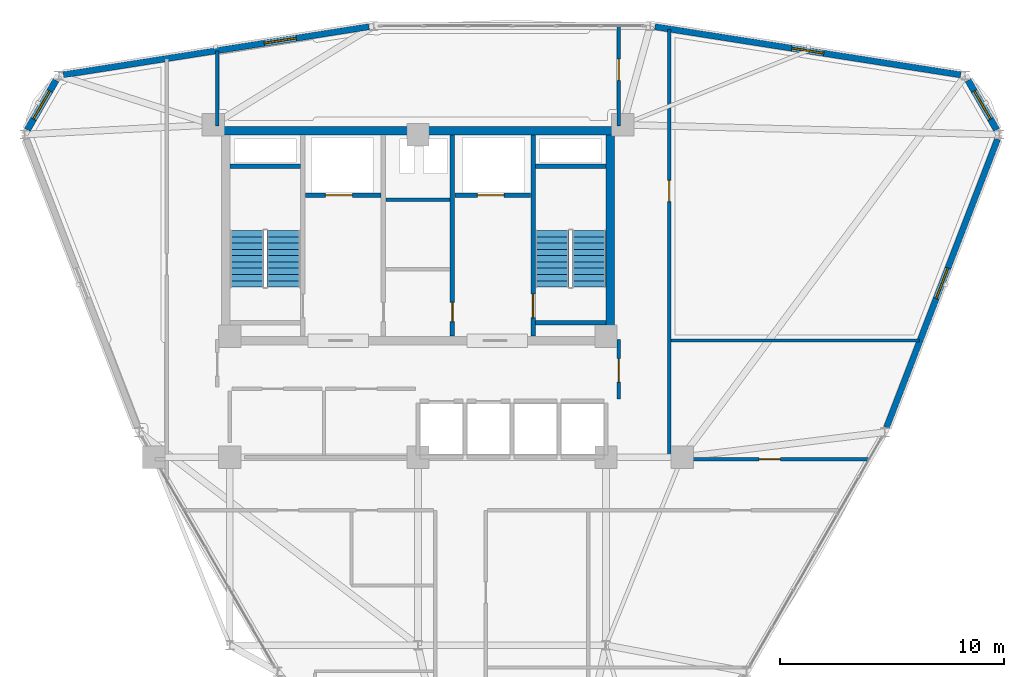
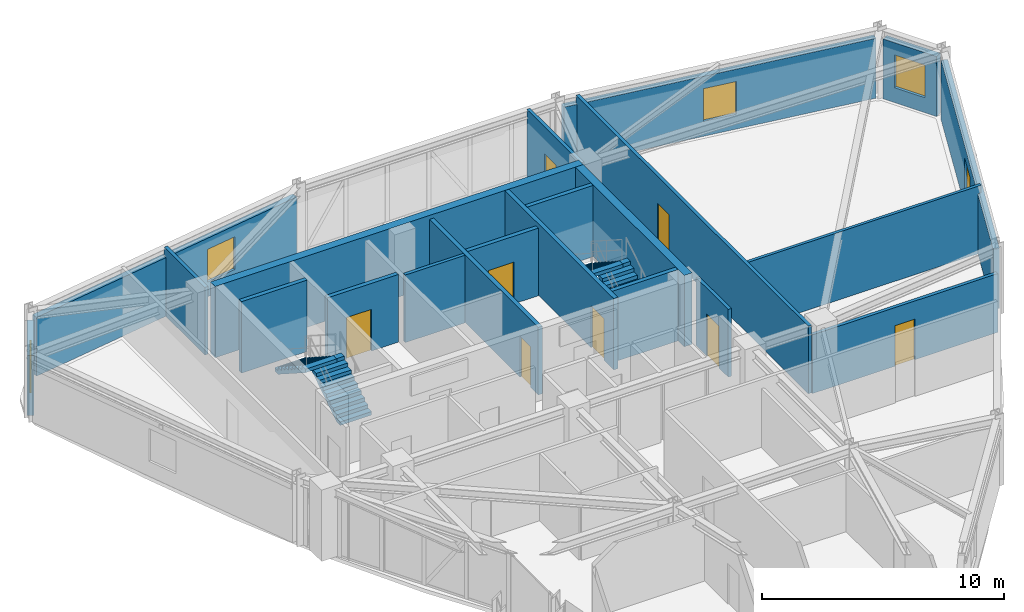
# One storey, part 15 of 18: 21 walls, 8 doors, 5 windows, 4 stair flights, 13 openings, 2 elements without a shape of their own.
"""IFC4 building model written with IfcOpenShell, lengths in metres."""

from ifc_helpers import new_model, si_unit, derived_unit, direction, frame, frame_2d, origin, place, context, subcontext, project, spatial, polyline, rectangle, outline, extrude, material, layer, layer_set, type_object, element, fill, aggregate, save


model = new_model("IFC4")

# Units and contexts
model_context = context("Model", 3, precision=1e-05, world=origin(), true_north=direction((0.0, 1.0)))
body_context = subcontext(model_context, "Body", "Model", "MODEL_VIEW")
ifc_project = project(units=[si_unit("LENGTHUNIT", "METRE"), si_unit("AREAUNIT", "SQUARE_METRE"), si_unit("VOLUMEUNIT", "CUBIC_METRE"), si_unit("PLANEANGLEUNIT", "RADIAN"), si_unit("MASSUNIT", "GRAM", prefix="KILO"), derived_unit("THERMALTRANSMITTANCEUNIT", [(si_unit("POWERUNIT", "WATT"), 1), (si_unit("LENGTHUNIT", "METRE"), -2), (si_unit("THERMODYNAMICTEMPERATUREUNIT", "KELVIN"), -1)])], contexts=[model_context])

# Site, building, storey
site_placement = place(None, origin())
site = spatial("IfcSite", under=ifc_project, at=site_placement, CompositionType="ELEMENT")
building_placement = place(site_placement, origin())
building = spatial("IfcBuilding", under=site, at=building_placement, Name="Korsvarv Bourse and Concert Hall", CompositionType="ELEMENT")
storey_placement = place(building_placement, frame((0.0, 0.0, 209.39990234375)))
storey = spatial("IfcBuildingStorey", under=building, at=storey_placement, Name="L54", CompositionType="ELEMENT", Elevation=209.39990234375)

# Walls
ifc_material_1 = material(Name="Concrete C50/60", Category="concrete")
ifc_layer_1 = layer(ifc_material_1, 0.3798828125)
ifc_layer_set_1 = layer_set([ifc_layer_1], Name="Concrete C50/60")
wall_type_1 = type_object("IfcWallType", Name="WL-CORE-380", PredefinedType="SHEAR", material=ifc_layer_set_1)
wall_1_placement = place(storey_placement, frame((27.219970703125, 46.989990234375, 0.0), z_axis=(0.0, 0.0, 1.0), x_axis=(1.0, 0.0, 0.0)))
element("IfcWall", 1, at=wall_1_placement, inside=storey, type_object=wall_type_1, Name="L54 North Core Shear Wall", PredefinedType="SHEAR", context=body_context, shape_type="SweptSolid", body=[
    extrude(rectangle(XDim=17.56005859375, YDim=0.3798828125, at=frame_2d((8.780029296875, 0.0))), origin(), (0.0, 0.0, 1.0), 3.60009765625),
])
wall_2_placement = place(storey_placement, frame((44.590087890625, 37.800048828125, 0.0), z_axis=(0.0, 0.0, 1.0), x_axis=(0.0, 1.0, 0.0)))
element("IfcWall", 2, at=wall_2_placement, inside=storey, type_object=wall_type_1, Name="L54 East Core Shear Wall", PredefinedType="SHEAR", context=body_context, shape_type="SweptSolid", body=[
    extrude(rectangle(XDim=9.0, YDim=0.3798828125, at=frame_2d((4.5, 0.0))), origin(), (0.0, 0.0, 1.0), 3.60009765625),
])
wall_3_placement = place(storey_placement, frame((27.610107421875, 45.39990234375, 0.0), z_axis=(0.0, 0.0, 1.0), x_axis=(1.0, 0.0, 0.0)))
element("IfcWall", 3, at=wall_3_placement, inside=storey, type_object=wall_type_1, Name="L54 stair shaft structural wall W-L54-ST1-N", PredefinedType="SHEAR", context=body_context, shape_type="SweptSolid", body=[
    extrude(rectangle(XDim=3.139892578125, YDim=0.199951171875, at=frame_2d((1.56982421875, 0.0))), origin(), (0.0, 0.0, 1.0), 3.60009765625),
])

# Wall, opening, door
wall_4_placement = place(storey_placement, frame((41.139892578125, 37.81005859375, 0.0), z_axis=(0.0, 0.0, 1.0), x_axis=(0.0, 1.0, 0.0)))
wall_4 = element("IfcWall", 4, at=wall_4_placement, inside=storey, type_object=wall_type_1, Name="L54 stair shaft structural wall W-L54-ST2-W", PredefinedType="SHEAR", context=body_context, shape_type="SweptSolid", body=[
    extrude(rectangle(XDim=8.97998046875, YDim=0.199951171875, at=frame_2d((4.489990234375, 0.0))), origin(), (0.0, 0.0, 1.0), 3.60009765625),
])
opening_1_placement = place(wall_4_placement, frame((0.820068359375, 0.0, 0.0)))
opening_1 = element("IfcOpeningElement", 5, at=opening_1_placement, cuts=wall_4, Name="Opening D-01", PredefinedType="OPENING", context=body_context, shape_type="SweptSolid", body=[
    extrude(rectangle(XDim=1.050048828125, YDim=2.10009765625, at=frame_2d((0.52490234375, 1.050048828125))), frame((0.0, 0.10986328125, 0.0), z_axis=(0.0, -1.0, 0.0), x_axis=(1.0, 0.0, 0.0)), (0.0, 0.0, 1.0), 0.219970703125),
])
ifc_material_2 = material(Name="Steel S355 fire door", Category="steel")
door_type_1 = type_object("IfcDoorType", Name="DR-FD60", OperationType="NOTDEFINED", PredefinedType="DOOR", material=ifc_material_2)
door_1_placement = place(opening_1_placement, frame((1.050048828125, 0.0, 0.0), z_axis=(0.0, 0.0, 1.0), x_axis=(-1.0, 0.0, 0.0)))
door_1 = element("IfcDoor", 6, at=door_1_placement, inside=storey, type_object=door_type_1, Name="L54 interior door DR-L54-ST2", OperationType="SINGLE_SWING_RIGHT", OverallHeight=2.10009765625, OverallWidth=1.050048828125, PredefinedType="DOOR", context=body_context, shape_type="SweptSolid", body=[
    extrude(rectangle(XDim=1.050048828125, YDim=2.10009765625, at=frame_2d((0.52490234375, 1.050048828125))), frame((0.0, 0.02490234375, 0.0), z_axis=(0.0, -1.0, 0.0), x_axis=(1.0, 0.0, 0.0)), (0.0, 0.0, 1.0), 0.050048828125),
])
fill(opening_1, door_1)

# Walls
for number, where, z_axis, x_axis, name in (
    (7, (41.25, 45.39990234375, 0.0), (0.0, 0.0, 1.0), (1.0, 0.0, 0.0), "L54 stair shaft structural wall W-L54-ST2-N"),
    (8, (41.25, 38.39990234375, 0.0), (0.0, 0.0, 1.0), (1.0, 0.0, 0.0), "L54 stair shaft structural wall W-L54-ST2-S"),
):
    element("IfcWall", number, at=place(storey_placement, frame(where, z_axis=z_axis, x_axis=x_axis)), inside=storey, type_object=wall_type_1, Name=name, PredefinedType="SHEAR", context=body_context, shape_type="SweptSolid", body=[
        extrude(rectangle(XDim=3.139892578125, YDim=0.199951171875, at=frame_2d((1.56982421875, 0.0))), origin(), (0.0, 0.0, 1.0), 3.60009765625),
    ])

# Wall, opening, window
ifc_material_3 = material(Name="Precast concrete C45/55 with terracotta rainscreen", Category="concrete")
ifc_layer_2 = layer(ifc_material_3, 0.300048828125)
ifc_layer_set_2 = layer_set([ifc_layer_2], Name="Precast concrete C45/55 with terracotta rainscreen")
wall_type_2 = type_object("IfcWallType", Name="WL-EXT-TC1", PredefinedType="SOLIDWALL", material=ifc_layer_set_2)
wall_5_placement = place(storey_placement, frame((61.84716796875, 47.0244140625, 0.0), z_axis=(0.0, 0.0, 1.0), x_axis=(-0.49997637333, 0.866039044219, 0.0)))
wall_5 = element("IfcWall", 9, at=wall_5_placement, inside=storey, type_object=wall_type_2, Name="L54 terracotta exterior wall EW-L54-B01", PredefinedType="SOLIDWALL", context=body_context, shape_type="SweptSolid", body=[
    extrude(rectangle(XDim=2.55224609375, YDim=0.300048828125, at=frame_2d((1.276123046875, 0.0))), origin(), (0.0, 0.0, 1.0), 3.02001953125),
])
opening_2_placement = place(wall_5_placement, frame((0.551025390625, 0.0, 0.75)))
opening_2 = element("IfcOpeningElement", 10, at=opening_2_placement, cuts=wall_5, Name="Opening W-02", PredefinedType="OPENING", context=body_context, shape_type="SweptSolid", body=[
    extrude(rectangle(XDim=1.449951171875, YDim=1.64990234375, at=frame_2d((0.72509765625, 0.824951171875))), frame((0.0, 0.16015625, 0.0), z_axis=(0.0, -1.0, 0.0), x_axis=(1.0, 0.0, 0.0)), (0.0, 0.0, 1.0), 0.320068359375),
])
ifc_material_4 = material(Name="Thermally broken aluminium frame with triple low-E glass", Category="glass")
window_type = type_object("IfcWindowType", Name="WIN-TW2", PartitioningType="SINGLE_PANEL", PredefinedType="WINDOW", material=ifc_material_4)
window_1_placement = place(opening_2_placement, origin())
window_1 = element("IfcWindow", 11, at=window_1_placement, inside=storey, type_object=window_type, Name="L54 punched facade window W-02", OverallHeight=1.64990234375, OverallWidth=1.449951171875, PartitioningType="SINGLE_PANEL", PredefinedType="WINDOW", context=body_context, shape_type="SweptSolid", body=[
    extrude(rectangle(XDim=1.449951171875, YDim=1.64990234375, at=frame_2d((0.72509765625, 0.824951171875))), frame((0.0, 0.030029296875, 0.0), z_axis=(0.0, -1.0, 0.0), x_axis=(1.0, 0.0, 0.0)), (0.0, 0.0, 1.0), 0.06005859375),
])
fill(opening_2, window_1)

wall_6_placement = place(storey_placement, frame((19.828857421875, 49.23486328125, 0.0), z_axis=(0.0, 0.0, 1.0), x_axis=(-0.49990462644, -0.866080460733, 0.0)))
wall_6 = element("IfcWall", 12, at=wall_6_placement, inside=storey, type_object=wall_type_2, Name="L54 terracotta exterior wall EW-L54-B05", PredefinedType="SOLIDWALL", context=body_context, shape_type="SweptSolid", body=[
    extrude(rectangle(XDim=2.55224609375, YDim=0.300048828125, at=frame_2d((1.276123046875, 0.0))), origin(), (0.0, 0.0, 1.0), 3.02001953125),
])
opening_3_placement = place(wall_6_placement, frame((0.551025390625, 0.0, 0.75)))
opening_3 = element("IfcOpeningElement", 13, at=opening_3_placement, cuts=wall_6, Name="Opening W-02", PredefinedType="OPENING", context=body_context, shape_type="SweptSolid", body=[
    extrude(rectangle(XDim=1.449951171875, YDim=1.64990234375, at=frame_2d((0.72509765625, 0.824951171875))), frame((0.0, 0.16015625, 0.0), z_axis=(0.0, -1.0, 0.0), x_axis=(1.0, 0.0, 0.0)), (0.0, 0.0, 1.0), 0.320068359375),
])
window_2_placement = place(opening_3_placement, origin())
window_2 = element("IfcWindow", 14, at=window_2_placement, inside=storey, type_object=window_type, Name="L54 punched facade window W-02", OverallHeight=1.64990234375, OverallWidth=1.449951171875, PartitioningType="SINGLE_PANEL", PredefinedType="WINDOW", context=body_context, shape_type="SweptSolid", body=[
    extrude(rectangle(XDim=1.449951171875, YDim=1.64990234375, at=frame_2d((0.72509765625, 0.824951171875))), frame((0.0, 0.030029296875, 0.0), z_axis=(0.0, -1.0, 0.0), x_axis=(1.0, 0.0, 0.0)), (0.0, 0.0, 1.0), 0.06005859375),
])
fill(opening_3, window_2)

ifc_material_5 = material(Name="Precast concrete C45/55 with fluted terracotta pier", Category="concrete")
ifc_layer_3 = layer(ifc_material_5, 0.280029296875)
ifc_layer_set_3 = layer_set([ifc_layer_3], Name="Precast concrete C45/55 with fluted terracotta pier")
wall_type_3 = type_object("IfcWallType", Name="WL-EXT-TC2", PredefinedType="SOLIDWALL", material=ifc_layer_set_3)
wall_7_placement = place(storey_placement, frame((60.239990234375, 49.48046875, 0.0), z_axis=(0.0, 0.0, 1.0), x_axis=(-0.987848165878, 0.155422009936, 0.0)))
wall_7 = element("IfcWall", 15, at=wall_7_placement, inside=storey, type_object=wall_type_3, Name="L54 terracotta exterior wall EW-L54-B02", PredefinedType="SOLIDWALL", context=body_context, shape_type="SweptSolid", body=[
    extrude(rectangle(XDim=13.8232421875, YDim=0.280029296875, at=frame_2d((6.91162109375, 0.0))), origin(), (0.0, 0.0, 1.0), 3.02001953125),
])
opening_4_placement = place(wall_7_placement, frame((6.186767578125, 0.0, 0.75)))
opening_4 = element("IfcOpeningElement", 16, at=opening_4_placement, cuts=wall_7, Name="Opening W-02", PredefinedType="OPENING", context=body_context, shape_type="SweptSolid", body=[
    extrude(rectangle(XDim=1.449951171875, YDim=1.64990234375, at=frame_2d((0.72509765625, 0.824951171875))), frame((0.0, 0.14990234375, 0.0), z_axis=(0.0, -1.0, 0.0), x_axis=(1.0, 0.0, 0.0)), (0.0, 0.0, 1.0), 0.300048828125),
])
window_3_placement = place(opening_4_placement, origin())
window_3 = element("IfcWindow", 17, at=window_3_placement, inside=storey, type_object=window_type, Name="L54 punched facade window W-02", OverallHeight=1.64990234375, OverallWidth=1.449951171875, PartitioningType="SINGLE_PANEL", PredefinedType="WINDOW", context=body_context, shape_type="SweptSolid", body=[
    extrude(rectangle(XDim=1.449951171875, YDim=1.64990234375, at=frame_2d((0.72509765625, 0.824951171875))), frame((0.0, 0.030029296875, 0.0), z_axis=(0.0, -1.0, 0.0), x_axis=(1.0, 0.0, 0.0)), (0.0, 0.0, 1.0), 0.06005859375),
])
fill(opening_4, window_3)

wall_8_placement = place(storey_placement, frame((33.815185546875, 51.62890625, 0.0), z_axis=(0.0, 0.0, 1.0), x_axis=(-0.987848165878, -0.155422009936, 0.0)))
wall_8 = element("IfcWall", 18, at=wall_8_placement, inside=storey, type_object=wall_type_3, Name="L54 terracotta exterior wall EW-L54-B04", PredefinedType="SOLIDWALL", context=body_context, shape_type="SweptSolid", body=[
    extrude(rectangle(XDim=13.8232421875, YDim=0.280029296875, at=frame_2d((6.91162109375, 0.0))), origin(), (0.0, 0.0, 1.0), 2.960205078125),
])
opening_5_placement = place(wall_8_placement, frame((3.293212890625, 0.0, 0.75)))
opening_5 = element("IfcOpeningElement", 19, at=opening_5_placement, cuts=wall_8, Name="Opening W-02", PredefinedType="OPENING", context=body_context, shape_type="SweptSolid", body=[
    extrude(rectangle(XDim=1.449951171875, YDim=1.64990234375, at=frame_2d((0.72509765625, 0.824951171875))), frame((0.0, 0.14990234375, 0.0), z_axis=(0.0, -1.0, 0.0), x_axis=(1.0, 0.0, 0.0)), (0.0, 0.0, 1.0), 0.300048828125),
])
window_4_placement = place(opening_5_placement, origin())
window_4 = element("IfcWindow", 20, at=window_4_placement, inside=storey, type_object=window_type, Name="L54 punched facade window W-02", OverallHeight=1.64990234375, OverallWidth=1.449951171875, PartitioningType="SINGLE_PANEL", PredefinedType="WINDOW", context=body_context, shape_type="SweptSolid", body=[
    extrude(rectangle(XDim=1.449951171875, YDim=1.64990234375, at=frame_2d((0.72509765625, 0.824951171875))), frame((0.0, 0.030029296875, 0.0), z_axis=(0.0, -1.0, 0.0), x_axis=(1.0, 0.0, 0.0)), (0.0, 0.0, 1.0), 0.06005859375),
])
fill(opening_5, window_4)

wall_9_placement = place(storey_placement, frame((56.933837890625, 33.731201171875, 0.0), z_axis=(0.0, 0.0, 1.0), x_axis=(0.359321962573, 0.933213655715, 0.0)))
wall_9 = element("IfcWall", 21, at=wall_9_placement, inside=storey, type_object=wall_type_3, Name="L54 terracotta exterior wall EW-L54-B12", PredefinedType="SOLIDWALL", context=body_context, shape_type="SweptSolid", body=[
    extrude(rectangle(XDim=13.7880859375, YDim=0.280029296875, at=frame_2d((6.89404296875, 0.0))), origin(), (0.0, 0.0, 1.0), 3.02001953125),
])
opening_6_placement = place(wall_9_placement, frame((6.1689453125, 0.0, 0.75)))
opening_6 = element("IfcOpeningElement", 22, at=opening_6_placement, cuts=wall_9, Name="Opening W-02", PredefinedType="OPENING", context=body_context, shape_type="SweptSolid", body=[
    extrude(rectangle(XDim=1.449951171875, YDim=1.64990234375, at=frame_2d((0.72509765625, 0.824951171875))), frame((0.0, 0.14990234375, 0.0), z_axis=(0.0, -1.0, 0.0), x_axis=(1.0, 0.0, 0.0)), (0.0, 0.0, 1.0), 0.300048828125),
])
window_5_placement = place(opening_6_placement, origin())
window_5 = element("IfcWindow", 23, at=window_5_placement, inside=storey, type_object=window_type, Name="L54 punched facade window W-02", OverallHeight=1.64990234375, OverallWidth=1.449951171875, PartitioningType="SINGLE_PANEL", PredefinedType="WINDOW", context=body_context, shape_type="SweptSolid", body=[
    extrude(rectangle(XDim=1.449951171875, YDim=1.64990234375, at=frame_2d((0.72509765625, 0.824951171875))), frame((0.0, 0.030029296875, 0.0), z_axis=(0.0, -1.0, 0.0), x_axis=(1.0, 0.0, 0.0)), (0.0, 0.0, 1.0), 0.06005859375),
])
fill(opening_6, window_5)

# Wall, opening, door
ifc_material_6 = material(Name="Reinforced concrete blockwork C35/45 fire wall", Category="concrete")
ifc_layer_4 = layer(ifc_material_6, 0.199951171875)
ifc_layer_set_4 = layer_set([ifc_layer_4], Name="Reinforced concrete blockwork C35/45 fire wall")
wall_type_4 = type_object("IfcWallType", Name="WL-INT-EI120", PredefinedType="PARTITIONING", material=ifc_layer_set_4)
wall_10_placement = place(storey_placement, frame((30.969970703125, 44.10009765625, 0.0), z_axis=(0.0, 0.0, 1.0), x_axis=(1.0, 0.0, 0.0)))
wall_10 = element("IfcWall", 24, at=wall_10_placement, inside=storey, type_object=wall_type_4, Name="L54 interior partition wall W-L54-FF1-S", PredefinedType="PARTITIONING", context=body_context, shape_type="SweptSolid", body=[
    extrude(rectangle(XDim=3.380126953125, YDim=0.199951171875, at=frame_2d((1.68994140625, 0.0))), origin(), (0.0, 0.0, 1.0), 3.41015625),
])
opening_7_placement = place(wall_10_placement, frame((0.89990234375, 0.0, 0.0)))
opening_7 = element("IfcOpeningElement", 25, at=opening_7_placement, cuts=wall_10, Name="Opening LD-1", PredefinedType="OPENING", context=body_context, shape_type="SweptSolid", body=[
    extrude(rectangle(XDim=1.199951171875, YDim=2.10009765625, at=frame_2d((0.60009765625, 1.050048828125))), frame((0.0, 0.10986328125, 0.0), z_axis=(0.0, -1.0, 0.0), x_axis=(1.0, 0.0, 0.0)), (0.0, 0.0, 1.0), 0.219970703125),
])
ifc_material_7 = material(Name="Stainless Steel S355 firefighting lift landing door", Category="steel")
door_type_2 = type_object("IfcDoorType", Name="DR-LIFT-FF", OperationType="DOUBLE_DOOR_SLIDING", PredefinedType="DOOR", material=ifc_material_7)
door_2_placement = place(opening_7_placement, origin())
door_2 = element("IfcDoor", 26, at=door_2_placement, inside=storey, type_object=door_type_2, Name="L54 lift sliding landing door LD-L54-FF1", OperationType="DOUBLE_DOOR_SLIDING", OverallHeight=2.10009765625, OverallWidth=1.199951171875, PredefinedType="DOOR", context=body_context, shape_type="SweptSolid", body=[
    extrude(rectangle(XDim=1.199951171875, YDim=2.10009765625, at=frame_2d((0.60009765625, 1.050048828125))), frame((0.0, 0.02490234375, 0.0), z_axis=(0.0, -1.0, 0.0), x_axis=(1.0, 0.0, 0.0)), (0.0, 0.0, 1.0), 0.050048828125),
])
fill(opening_7, door_2)

wall_11_placement = place(storey_placement, frame((37.64990234375, 44.10009765625, 0.0), z_axis=(0.0, 0.0, 1.0), x_axis=(1.0, 0.0, 0.0)))
wall_11 = element("IfcWall", 27, at=wall_11_placement, inside=storey, type_object=wall_type_4, Name="L54 interior partition wall W-L54-FF2-S", PredefinedType="PARTITIONING", context=body_context, shape_type="SweptSolid", body=[
    extrude(rectangle(XDim=3.380126953125, YDim=0.199951171875, at=frame_2d((1.68994140625, 0.0))), origin(), (0.0, 0.0, 1.0), 3.41015625),
])
opening_8_placement = place(wall_11_placement, frame((1.0, 0.0, 0.0)))
opening_8 = element("IfcOpeningElement", 28, at=opening_8_placement, cuts=wall_11, Name="Opening LD-1", PredefinedType="OPENING", context=body_context, shape_type="SweptSolid", body=[
    extrude(rectangle(XDim=1.199951171875, YDim=2.10009765625, at=frame_2d((0.60009765625, 1.050048828125))), frame((0.0, 0.10986328125, 0.0), z_axis=(0.0, -1.0, 0.0), x_axis=(1.0, 0.0, 0.0)), (0.0, 0.0, 1.0), 0.219970703125),
])
door_3_placement = place(opening_8_placement, origin())
door_3 = element("IfcDoor", 29, at=door_3_placement, inside=storey, type_object=door_type_2, Name="L54 lift sliding landing door LD-L54-FF2", OperationType="DOUBLE_DOOR_SLIDING", OverallHeight=2.10009765625, OverallWidth=1.199951171875, PredefinedType="DOOR", context=body_context, shape_type="SweptSolid", body=[
    extrude(rectangle(XDim=1.199951171875, YDim=2.10009765625, at=frame_2d((0.60009765625, 1.050048828125))), frame((0.0, 0.02490234375, 0.0), z_axis=(0.0, -1.0, 0.0), x_axis=(1.0, 0.0, 0.0)), (0.0, 0.0, 1.0), 0.050048828125),
])
fill(opening_8, door_3)

wall_12_placement = place(storey_placement, frame((37.5400390625, 37.81005859375, 0.0), z_axis=(0.0, 0.0, 1.0), x_axis=(0.0, 1.0, 0.0)))
wall_12 = element("IfcWall", 30, at=wall_12_placement, inside=storey, type_object=wall_type_4, Name="L54 interior partition wall W-L54-CSB-E", PredefinedType="PARTITIONING", context=body_context, shape_type="SweptSolid", body=[
    extrude(rectangle(XDim=8.97998046875, YDim=0.199951171875, at=frame_2d((4.489990234375, 0.0))), origin(), (0.0, 0.0, 1.0), 3.41015625),
])
opening_9_placement = place(wall_12_placement, frame((0.64990234375, 0.0, 0.0)))
opening_9 = element("IfcOpeningElement", 31, at=opening_9_placement, cuts=wall_12, Name="Opening D-05", PredefinedType="OPENING", context=body_context, shape_type="SweptSolid", body=[
    extrude(rectangle(XDim=0.85009765625, YDim=2.050048828125, at=frame_2d((0.425048828125, 1.02490234375))), frame((0.0, 0.10986328125, 0.0), z_axis=(0.0, -1.0, 0.0), x_axis=(1.0, 0.0, 0.0)), (0.0, 0.0, 1.0), 0.219970703125),
])
door_type_3 = type_object("IfcDoorType", Name="DR-FD60-850X2050", OperationType="NOTDEFINED", PredefinedType="DOOR", material=ifc_material_2)
door_4_placement = place(opening_9_placement, origin())
door_4 = element("IfcDoor", 32, at=door_4_placement, inside=storey, type_object=door_type_3, Name="L54 interior door DR-L54-CSB2", OperationType="SINGLE_SWING_RIGHT", OverallHeight=2.050048828125, OverallWidth=0.85009765625, PredefinedType="DOOR", context=body_context, shape_type="SweptSolid", body=[
    extrude(rectangle(XDim=0.85009765625, YDim=2.050048828125, at=frame_2d((0.425048828125, 1.02490234375))), frame((0.0, 0.02490234375, 0.0), z_axis=(0.0, -1.0, 0.0), x_axis=(1.0, 0.0, 0.0)), (0.0, 0.0, 1.0), 0.050048828125),
])
fill(opening_9, door_4)

# Wall
ifc_material_8 = material(Name="Double-stud fire-rated acoustic partition", Category="gypsum")
ifc_layer_5 = layer(ifc_material_8, 0.159912109375)
ifc_layer_set_5 = layer_set([ifc_layer_5], Name="Double-stud fire-rated acoustic partition")
wall_type_5 = type_object("IfcWallType", Name="WL-INT-EI60", PredefinedType="PARTITIONING", material=ifc_layer_set_5)
wall_13_placement = place(storey_placement, frame((34.570068359375, 43.89990234375, 0.0), z_axis=(0.0, 0.0, 1.0), x_axis=(1.0, 0.0, 0.0)))
element("IfcWall", 33, at=wall_13_placement, inside=storey, type_object=wall_type_5, Name="L54 interior partition wall W-L54-K2", PredefinedType="PARTITIONING", context=body_context, shape_type="SweptSolid", body=[
    extrude(rectangle(XDim=2.85986328125, YDim=0.159912109375, at=frame_2d((1.429931640625, 0.0))), origin(), (0.0, 0.0, 1.0), 3.41015625),
])

# Wall, opening, door
wall_14_placement = place(storey_placement, frame((44.9599609375, 35.0, 0.0), z_axis=(0.0, 0.0, 1.0), x_axis=(0.0, 1.0, 0.0)))
wall_14 = element("IfcWall", 34, at=wall_14_placement, inside=storey, type_object=wall_type_5, Name="L54 interior partition wall W-L54-LOB-E", PredefinedType="PARTITIONING", context=body_context, shape_type="SweptSolid", body=[
    extrude(rectangle(XDim=2.64990234375, YDim=0.159912109375, at=frame_2d((1.324951171875, 0.0))), origin(), (0.0, 0.0, 1.0), 3.41015625),
])
opening_10_placement = place(wall_14_placement, frame((0.75, 0.0, 0.0)))
opening_10 = element("IfcOpeningElement", 35, at=opening_10_placement, cuts=wall_14, Name="Opening D-01", PredefinedType="OPENING", context=body_context, shape_type="SweptSolid", body=[
    extrude(rectangle(XDim=1.050048828125, YDim=2.10009765625, at=frame_2d((0.52490234375, 1.050048828125))), frame((0.0, 0.08984375, 0.0), z_axis=(0.0, -1.0, 0.0), x_axis=(1.0, 0.0, 0.0)), (0.0, 0.0, 1.0), 0.179931640625),
])
door_5_placement = place(opening_10_placement, origin())
door_5 = element("IfcDoor", 36, at=door_5_placement, inside=storey, type_object=door_type_1, Name="L54 interior door DR-L54-LOBE", OperationType="SINGLE_SWING_RIGHT", OverallHeight=2.10009765625, OverallWidth=1.050048828125, PredefinedType="DOOR", context=body_context, shape_type="SweptSolid", body=[
    extrude(rectangle(XDim=1.050048828125, YDim=2.10009765625, at=frame_2d((0.52490234375, 1.050048828125))), frame((0.0, 0.02490234375, 0.0), z_axis=(0.0, -1.0, 0.0), x_axis=(1.0, 0.0, 0.0)), (0.0, 0.0, 1.0), 0.050048828125),
])
fill(opening_10, door_5)

wall_15_placement = place(storey_placement, frame((47.22509765625, 32.31005859375, 0.0), z_axis=(0.0, 0.0, 1.0), x_axis=(0.0, 1.0, 0.0)))
wall_15 = element("IfcWall", 37, at=wall_15_placement, inside=storey, type_object=wall_type_5, Name="L54 interior partition wall W-L54-TCOR-01", PredefinedType="PARTITIONING", context=body_context, shape_type="SweptSolid", body=[
    extrude(rectangle(XDim=19.1982421875, YDim=0.159912109375, at=frame_2d((9.59912109375, 0.0))), origin(), (0.0, 0.0, 1.0), 3.41015625),
])
opening_11_placement = place(wall_15_placement, frame((11.499755859375, 0.0, 0.0)))
opening_11 = element("IfcOpeningElement", 38, at=opening_11_placement, cuts=wall_15, Name="Opening D-02", PredefinedType="OPENING", context=body_context, shape_type="SweptSolid", body=[
    extrude(rectangle(XDim=0.949951171875, YDim=2.050048828125, at=frame_2d((0.47509765625, 1.02490234375))), frame((0.0, 0.08984375, 0.0), z_axis=(0.0, -1.0, 0.0), x_axis=(1.0, 0.0, 0.0)), (0.0, 0.0, 1.0), 0.179931640625),
])
ifc_material_9 = material(Name="Timber and steel acoustic fire door", Category="wood")
door_type_4 = type_object("IfcDoorType", Name="DR-FD30", OperationType="NOTDEFINED", PredefinedType="DOOR", material=ifc_material_9)
door_6_placement = place(opening_11_placement, origin())
door_6 = element("IfcDoor", 39, at=door_6_placement, inside=storey, type_object=door_type_4, Name="L54 interior door DR-L54-TCOR-RM22", OperationType="SINGLE_SWING_LEFT", OverallHeight=2.050048828125, OverallWidth=0.949951171875, PredefinedType="DOOR", context=body_context, shape_type="SweptSolid", body=[
    extrude(rectangle(XDim=0.949951171875, YDim=2.050048828125, at=frame_2d((0.47509765625, 1.02490234375))), frame((0.0, 0.02490234375, 0.0), z_axis=(0.0, -1.0, 0.0), x_axis=(1.0, 0.0, 0.0)), (0.0, 0.0, 1.0), 0.050048828125),
])
fill(opening_11, door_6)

wall_16_placement = place(storey_placement, frame((47.306884765625, 32.31494140625, 0.0), z_axis=(0.0, 0.0, 1.0), x_axis=(1.0, 0.0, 0.0)))
wall_16 = element("IfcWall", 40, at=wall_16_placement, inside=storey, type_object=wall_type_5, Name="L54 interior partition wall W-L54-TCOR-07", PredefinedType="PARTITIONING", context=body_context, shape_type="SweptSolid", body=[
    extrude(rectangle(XDim=8.830322265625, YDim=0.159912109375, at=frame_2d((4.4150390625, 0.0))), origin(), (0.0, 0.0, 1.0), 2.960205078125),
])
opening_12_placement = place(wall_16_placement, frame((3.926025390625, 0.0, 0.0)))
opening_12 = element("IfcOpeningElement", 41, at=opening_12_placement, cuts=wall_16, Name="Opening D-02", PredefinedType="OPENING", context=body_context, shape_type="SweptSolid", body=[
    extrude(rectangle(XDim=0.949951171875, YDim=2.050048828125, at=frame_2d((0.47509765625, 1.02490234375))), frame((0.0, 0.08984375, 0.0), z_axis=(0.0, -1.0, 0.0), x_axis=(1.0, 0.0, 0.0)), (0.0, 0.0, 1.0), 0.179931640625),
])
door_7_placement = place(opening_12_placement, origin())
door_7 = element("IfcDoor", 42, at=door_7_placement, inside=storey, type_object=door_type_4, Name="L54 interior door DR-L54-TCOR-PN81", OperationType="SINGLE_SWING_LEFT", OverallHeight=2.050048828125, OverallWidth=0.949951171875, PredefinedType="DOOR", context=body_context, shape_type="SweptSolid", body=[
    extrude(rectangle(XDim=0.949951171875, YDim=2.050048828125, at=frame_2d((0.47509765625, 1.02490234375))), frame((0.0, 0.02490234375, 0.0), z_axis=(0.0, -1.0, 0.0), x_axis=(1.0, 0.0, 0.0)), (0.0, 0.0, 1.0), 0.050048828125),
])
fill(opening_12, door_7)

wall_17_placement = place(storey_placement, frame((44.965087890625, 47.18310546875, 0.0), z_axis=(0.0, 0.0, 1.0), x_axis=(0.0, 1.0, 0.0)))
wall_17 = element("IfcWall", 43, at=wall_17_placement, inside=storey, type_object=wall_type_5, Name="L54 interior partition wall W-L54-TCOR-08", PredefinedType="PARTITIONING", context=body_context, shape_type="SweptSolid", body=[
    extrude(rectangle(XDim=4.45849609375, YDim=0.159912109375, at=frame_2d((2.229248046875, 0.0))), origin(), (0.0, 0.0, 1.0), 3.41015625),
])
opening_13_placement = place(wall_17_placement, frame((2.041259765625, 0.0, 0.0)))
opening_13 = element("IfcOpeningElement", 44, at=opening_13_placement, cuts=wall_17, Name="Opening D-02", PredefinedType="OPENING", context=body_context, shape_type="SweptSolid", body=[
    extrude(rectangle(XDim=0.949951171875, YDim=2.050048828125, at=frame_2d((0.47509765625, 1.02490234375))), frame((0.0, 0.08984375, 0.0), z_axis=(0.0, -1.0, 0.0), x_axis=(1.0, 0.0, 0.0)), (0.0, 0.0, 1.0), 0.179931640625),
])
door_8_placement = place(opening_13_placement, origin())
door_8 = element("IfcDoor", 45, at=door_8_placement, inside=storey, type_object=door_type_4, Name="L54 interior door DR-L54-TCOR-PN67", OperationType="SINGLE_SWING_RIGHT", OverallHeight=2.050048828125, OverallWidth=0.949951171875, PredefinedType="DOOR", context=body_context, shape_type="SweptSolid", body=[
    extrude(rectangle(XDim=0.949951171875, YDim=2.050048828125, at=frame_2d((0.47509765625, 1.02490234375))), frame((0.0, 0.02490234375, 0.0), z_axis=(0.0, -1.0, 0.0), x_axis=(1.0, 0.0, 0.0)), (0.0, 0.0, 1.0), 0.050048828125),
])
fill(opening_13, door_8)

# Walls
wall_18_placement = place(storey_placement, frame((27.034912109375, 47.18310546875, 0.0), z_axis=(0.0, 0.0, 1.0), x_axis=(0.0, 1.0, 0.0)))
element("IfcWall", 46, at=wall_18_placement, inside=storey, type_object=wall_type_5, Name="L54 interior partition wall W-L54-TCOR-09", PredefinedType="PARTITIONING", context=body_context, shape_type="SweptSolid", body=[
    extrude(rectangle(XDim=3.359130859375, YDim=0.159912109375, at=frame_2d((1.6796875, 0.0))), origin(), (0.0, 0.0, 1.0), 3.41015625),
])
ifc_material_10 = material(Name="Insulated steel-stud office acoustic partition", Category="gypsum")
ifc_layer_6 = layer(ifc_material_10, 0.139892578125)
ifc_layer_set_6 = layer_set([ifc_layer_6], Name="Insulated steel-stud office acoustic partition")
wall_type_6 = type_object("IfcWallType", Name="WL-INT-P1", PredefinedType="PARTITIONING", material=ifc_layer_set_6)
wall_19_placement = place(storey_placement, frame((47.306884765625, 37.60498046875, 0.0), z_axis=(0.0, 0.0, 1.0), x_axis=(1.0, 0.0, 0.0)))
element("IfcWall", 47, at=wall_19_placement, inside=storey, type_object=wall_type_6, Name="L54 interior partition wall W-L54-TCOR-13", PredefinedType="PARTITIONING", context=body_context, shape_type="SweptSolid", body=[
    extrude(rectangle(XDim=11.098388671875, YDim=0.139892578125, at=frame_2d((5.54931640625, 0.0))), origin(), (0.0, 0.0, 1.0), 3.41015625),
])

# Stair, stair flights
ifc_material_11 = material(Name="Precast concrete C45/55", Category="concrete")
stair_type = type_object("IfcStairType", Name="STR-TYPE-04", PredefinedType="HALF_TURN_STAIR", material=ifc_material_11)
stair_1_placement = place(storey_placement, origin())
stair_1 = element("IfcStair", 48, at=stair_1_placement, inside=storey, type_object=stair_type, Name="L54 Tower West Exit Stair ST-T1", PredefinedType="HALF_TURN_STAIR")
stair_flight_type = type_object("IfcStairFlightType", Name="FLT-TYPE-04", PredefinedType="STRAIGHT", material=ifc_material_11)
stair_flight_1_placement = place(storey_placement, frame((30.010009765625, 40.0, 0.0), z_axis=(0.0, 0.0, 1.0), x_axis=(0.0, 1.0, 0.0)))
stair_flight_1 = element("IfcStairFlight", 49, at=stair_flight_1_placement, type_object=stair_flight_type, Name="ST-T1 flight 1", NumberOfRisers=10, NumberOfTreads=9, PredefinedType="STRAIGHT", RiserHeight=0.18, TreadLength=0.28, context=body_context, shape_type="SweptSolid", body=[
    extrude(outline(polyline([(0.0, 0.0), (0.0, 0.179931640625), (0.280029296875, 0.179931640625), (0.280029296875, 0.360107421875), (0.56005859375, 0.360107421875), (0.56005859375, 0.5400390625), (0.840087890625, 0.5400390625), (0.840087890625, 0.719970703125), (1.1201171875, 0.719970703125), (1.1201171875, 0.89990234375), (1.39990234375, 0.89990234375), (1.39990234375, 1.080078125), (1.679931640625, 1.080078125), (1.679931640625, 1.260009765625), (1.9599609375, 1.260009765625), (1.9599609375, 1.43994140625), (2.239990234375, 1.43994140625), (2.239990234375, 1.6201171875), (2.52001953125, 1.6201171875), (2.52001953125, 1.800048828125), (2.52001953125, 1.44189453125), (0.277099609375, 0.0), (0.0, 0.0)])), frame((0.0, 0.75, 0.0), z_axis=(0.0, -1.0, 0.0), x_axis=(1.0, 0.0, 0.0)), (0.0, 0.0, 1.0), 1.5),
])
stair_flight_2_placement = place(storey_placement, frame((28.35009765625, 42.52001953125, 1.800048828125), z_axis=(0.0, 0.0, 1.0), x_axis=(0.0, -1.0, 0.0)))
stair_flight_2 = element("IfcStairFlight", 50, at=stair_flight_2_placement, type_object=stair_flight_type, Name="ST-T1 flight 2", NumberOfRisers=10, NumberOfTreads=9, PredefinedType="STRAIGHT", RiserHeight=0.18, TreadLength=0.28, context=body_context, shape_type="SweptSolid", body=[
    extrude(outline(polyline([(0.0, 0.0), (0.0, 0.179931640625), (0.280029296875, 0.179931640625), (0.280029296875, 0.360107421875), (0.56005859375, 0.360107421875), (0.56005859375, 0.5400390625), (0.840087890625, 0.5400390625), (0.840087890625, 0.719970703125), (1.1201171875, 0.719970703125), (1.1201171875, 0.89990234375), (1.39990234375, 0.89990234375), (1.39990234375, 1.080078125), (1.679931640625, 1.080078125), (1.679931640625, 1.260009765625), (1.9599609375, 1.260009765625), (1.9599609375, 1.43994140625), (2.239990234375, 1.43994140625), (2.239990234375, 1.6201171875), (2.52001953125, 1.6201171875), (2.52001953125, 1.800048828125), (2.52001953125, 1.44189453125), (0.277099609375, 0.0), (0.0, 0.0)])), frame((0.0, 0.75, 0.0), z_axis=(0.0, -1.0, 0.0), x_axis=(1.0, 0.0, 0.0)), (0.0, 0.0, 1.0), 1.5),
])
aggregate(stair_1, [stair_flight_1, stair_flight_2])

stair_2_placement = place(storey_placement, origin())
stair_2 = element("IfcStair", 51, at=stair_2_placement, inside=storey, type_object=stair_type, Name="L54 Tower East Exit Stair ST-T2", PredefinedType="HALF_TURN_STAIR")
stair_flight_3_placement = place(storey_placement, frame((43.64990234375, 40.0, 0.0), z_axis=(0.0, 0.0, 1.0), x_axis=(0.0, 1.0, 0.0)))
stair_flight_3 = element("IfcStairFlight", 52, at=stair_flight_3_placement, type_object=stair_flight_type, Name="ST-T2 flight 1", NumberOfRisers=10, NumberOfTreads=9, PredefinedType="STRAIGHT", RiserHeight=0.18, TreadLength=0.28, context=body_context, shape_type="SweptSolid", body=[
    extrude(outline(polyline([(0.0, 0.0), (0.0, 0.179931640625), (0.280029296875, 0.179931640625), (0.280029296875, 0.360107421875), (0.56005859375, 0.360107421875), (0.56005859375, 0.5400390625), (0.840087890625, 0.5400390625), (0.840087890625, 0.719970703125), (1.1201171875, 0.719970703125), (1.1201171875, 0.89990234375), (1.39990234375, 0.89990234375), (1.39990234375, 1.080078125), (1.679931640625, 1.080078125), (1.679931640625, 1.260009765625), (1.9599609375, 1.260009765625), (1.9599609375, 1.43994140625), (2.239990234375, 1.43994140625), (2.239990234375, 1.6201171875), (2.52001953125, 1.6201171875), (2.52001953125, 1.800048828125), (2.52001953125, 1.44189453125), (0.277099609375, 0.0), (0.0, 0.0)])), frame((0.0, 0.75, 0.0), z_axis=(0.0, -1.0, 0.0), x_axis=(1.0, 0.0, 0.0)), (0.0, 0.0, 1.0), 1.5),
])
stair_flight_4_placement = place(storey_placement, frame((41.989990234375, 42.52001953125, 1.800048828125), z_axis=(0.0, 0.0, 1.0), x_axis=(0.0, -1.0, 0.0)))
stair_flight_4 = element("IfcStairFlight", 53, at=stair_flight_4_placement, type_object=stair_flight_type, Name="ST-T2 flight 2", NumberOfRisers=10, NumberOfTreads=9, PredefinedType="STRAIGHT", RiserHeight=0.18, TreadLength=0.28, context=body_context, shape_type="SweptSolid", body=[
    extrude(outline(polyline([(0.0, 0.0), (0.0, 0.179931640625), (0.280029296875, 0.179931640625), (0.280029296875, 0.360107421875), (0.56005859375, 0.360107421875), (0.56005859375, 0.5400390625), (0.840087890625, 0.5400390625), (0.840087890625, 0.719970703125), (1.1201171875, 0.719970703125), (1.1201171875, 0.89990234375), (1.39990234375, 0.89990234375), (1.39990234375, 1.080078125), (1.679931640625, 1.080078125), (1.679931640625, 1.260009765625), (1.9599609375, 1.260009765625), (1.9599609375, 1.43994140625), (2.239990234375, 1.43994140625), (2.239990234375, 1.6201171875), (2.52001953125, 1.6201171875), (2.52001953125, 1.800048828125), (2.52001953125, 1.44189453125), (0.277099609375, 0.0), (0.0, 0.0)])), frame((0.0, 0.75, 0.0), z_axis=(0.0, -1.0, 0.0), x_axis=(1.0, 0.0, 0.0)), (0.0, 0.0, 1.0), 1.5),
])
aggregate(stair_2, [stair_flight_3, stair_flight_4])

save(model, "model.ifc")
